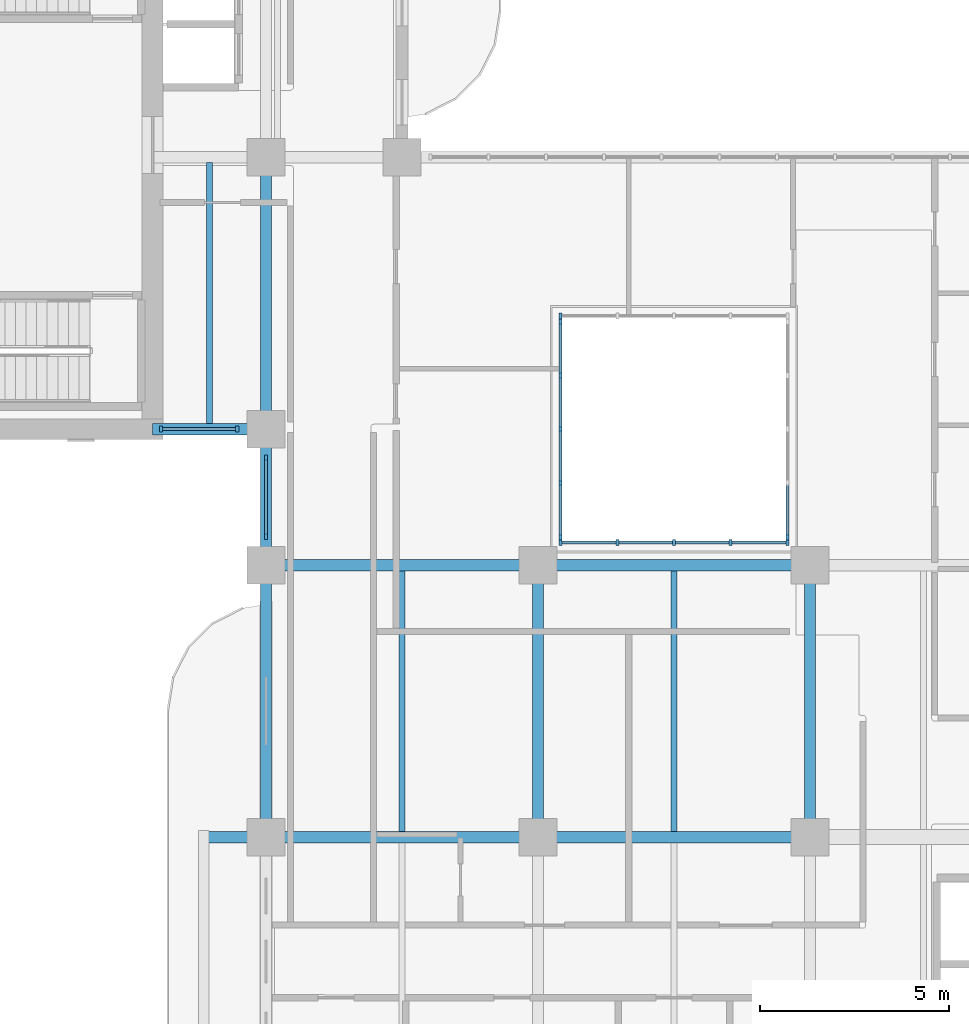
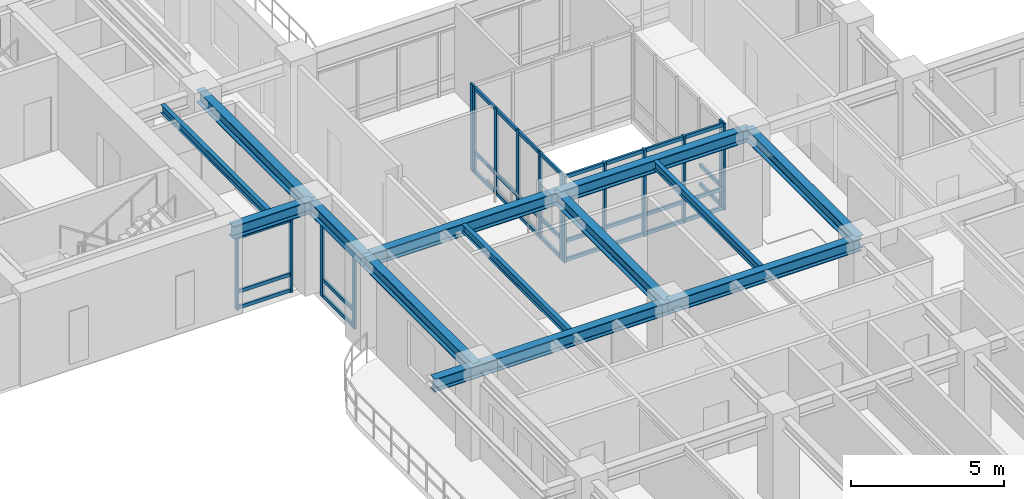
# One storey, part 2 of 20: 48 members, 13 beams, 6 elements without a shape of their own.
"""IFC4 building model written with IfcOpenShell, lengths in metres."""

from ifc_helpers import new_model, si_unit, derived_unit, direction, frame, origin, origin_2d, place, context, subcontext, project, spatial, rectangle, i_section, extrude, source, transform, mapped, material, layer, layer_set, material_profile, profile_set, type_object, type_shapes, element, aggregate, save


model = new_model("IFC4")

# Units and contexts
model_context = context("Model", 3, precision=1e-05, world=origin(), true_north=direction((0.0, 1.0)))
body_context = subcontext(model_context, "Body", "Model", "MODEL_VIEW")
ifc_project = project(units=[si_unit("LENGTHUNIT", "METRE"), si_unit("AREAUNIT", "SQUARE_METRE"), si_unit("VOLUMEUNIT", "CUBIC_METRE"), si_unit("PLANEANGLEUNIT", "RADIAN"), si_unit("MASSUNIT", "GRAM", prefix="KILO"), si_unit("THERMODYNAMICTEMPERATUREUNIT", "KELVIN"), si_unit("POWERUNIT", "WATT"), derived_unit("THERMALTRANSMITTANCEUNIT", [(si_unit("POWERUNIT", "WATT"), 1), (si_unit("AREAUNIT", "SQUARE_METRE"), -1), (si_unit("THERMODYNAMICTEMPERATUREUNIT", "KELVIN"), -1)])], contexts=[model_context])

# Site, building, storey
site_placement = place(None, origin())
site = spatial("IfcSite", under=ifc_project, at=site_placement, CompositionType="ELEMENT")
building_placement = place(site_placement, origin())
building = spatial("IfcBuilding", under=site, at=building_placement, Name="Zahravan Archway Hotel and Residences", CompositionType="ELEMENT")
storey_placement = place(building_placement, frame((0.0, 0.0, 137.699951171875)))
storey = spatial("IfcBuildingStorey", under=building, at=storey_placement, Name="L34", CompositionType="ELEMENT", Elevation=137.699951171875)

# Beams
ifc_material_1 = material(Name="Structural Steel S355JR", Category="steel")
ifc_material_profile_1 = material_profile(ifc_material_1, i_section(OverallWidth=0.300048828125, OverallDepth=0.5, WebThickness=0.014404296875, FlangeThickness=0.028076171875, FilletRadius=0.027099609375, at=origin_2d()), Name="HEB 500", Category="steel")
ifc_profile_set_1 = profile_set([ifc_material_profile_1], Name="Structural Steel S355JR")
beam_type_1 = type_object("IfcBeamType", Name="BM-PRI-HEB500", PredefinedType="BEAM", material=ifc_profile_set_1)
shared_shape_1 = source(origin(), body_context, "Body", "SweptSolid", [
    extrude(i_section(OverallWidth=0.300048828125, OverallDepth=0.5, WebThickness=0.014404296875, FlangeThickness=0.028076171875, FilletRadius=0.027099609375, at=origin_2d()), origin(), (0.0, 0.0, 1.0), 7.2001953125),
])
type_shapes(beam_type_1, [shared_shape_1])
for number, where, z_axis, x_axis, name in (
    (1, (14.39990234375, 21.60009765625, 3.199951171875), (1.0, 0.0, 0.0), (0.0, 1.0, 0.0), "L34 Primary Girder EW-11"),
    (2, (14.39990234375, 14.39990234375, 3.199951171875), (0.0, 1.0, 0.0), (-1.0, 0.0, 0.0), "L34 Primary Girder NS-30"),
    (3, (21.60009765625, 14.39990234375, 3.199951171875), (0.0, 1.0, 0.0), (-1.0, 0.0, 0.0), "L34 Primary Girder NS-37"),
    (4, (28.800048828125, 14.39990234375, 3.199951171875), (0.0, 1.0, 0.0), (-1.0, 0.0, 0.0), "L34 Primary Girder NS-40"),
):
    element("IfcBeam", number, at=place(storey_placement, frame(where, z_axis=z_axis, x_axis=x_axis)), inside=storey, type_object=beam_type_1, Name=name, PredefinedType="BEAM", context=body_context, shape_type="MappedRepresentation", body=[
        mapped(shared_shape_1, transform((0.0, 0.0, 0.0), scale=1.0)),
    ])
shared_shape_2 = source(origin(), body_context, "Body", "SweptSolid", [
    extrude(i_section(OverallWidth=0.300048828125, OverallDepth=0.5, WebThickness=0.014404296875, FlangeThickness=0.028076171875, FilletRadius=0.027099609375, at=origin_2d()), origin(), (0.0, 0.0, 1.0), 7.199951171875),
])
for number, where, z_axis, x_axis, name in (
    (5, (21.60009765625, 14.39990234375, 3.199951171875), (1.0, 0.0, 0.0), (0.0, 1.0, 0.0), "L34 Primary Girder EW-10"),
    (6, (21.60009765625, 21.60009765625, 3.199951171875), (1.0, 0.0, 0.0), (0.0, 1.0, 0.0), "L34 Primary Girder EW-12"),
    (7, (14.39990234375, 25.199951171875, 3.199951171875), (0.0, 1.0, 0.0), (-1.0, 0.0, 0.0), "L34 Primary Girder NS-32"),
):
    element("IfcBeam", number, at=place(storey_placement, frame(where, z_axis=z_axis, x_axis=x_axis)), inside=storey, type_object=beam_type_1, Name=name, PredefinedType="BEAM", context=body_context, shape_type="MappedRepresentation", body=[
        mapped(shared_shape_2, transform((0.0, 0.0, 0.0), scale=1.0)),
    ])
shared_shape_3 = source(origin(), body_context, "Body", "SweptSolid", [
    extrude(i_section(OverallWidth=0.300048828125, OverallDepth=0.5, WebThickness=0.014404296875, FlangeThickness=0.028076171875, FilletRadius=0.027099609375, at=origin_2d()), origin(), (0.0, 0.0, 1.0), 3.0),
])
beam_1_placement = place(storey_placement, frame((11.39990234375, 25.199951171875, 3.199951171875), z_axis=(1.0, 0.0, 0.0), x_axis=(0.0, 1.0, 0.0)))
element("IfcBeam", 8, at=beam_1_placement, inside=storey, type_object=beam_type_1, Name="L34 Primary Girder EW-16", PredefinedType="BEAM", context=body_context, shape_type="MappedRepresentation", body=[
    mapped(shared_shape_3, transform((0.0, 0.0, 0.0), scale=1.0)),
])
shared_shape_4 = source(origin(), body_context, "Body", "SweptSolid", [
    extrude(i_section(OverallWidth=0.300048828125, OverallDepth=0.5, WebThickness=0.014404296875, FlangeThickness=0.028076171875, FilletRadius=0.027099609375, at=origin_2d()), origin(), (0.0, 0.0, 1.0), 3.599853515625),
])
beam_2_placement = place(storey_placement, frame((14.39990234375, 21.60009765625, 3.199951171875), z_axis=(0.0, 1.0, 0.0), x_axis=(-1.0, 0.0, 0.0)))
element("IfcBeam", 9, at=beam_2_placement, inside=storey, type_object=beam_type_1, Name="L34 Primary Girder NS-31", PredefinedType="BEAM", context=body_context, shape_type="MappedRepresentation", body=[
    mapped(shared_shape_4, transform((0.0, 0.0, 0.0), scale=1.0)),
])
ifc_material_profile_2 = material_profile(ifc_material_1, i_section(OverallWidth=0.159912109375, OverallDepth=0.330078125, WebThickness=0.007568359375, FlangeThickness=0.011474609375, FilletRadius=0.01806640625, at=origin_2d()), Name="IPE 330", Category="steel")
ifc_profile_set_2 = profile_set([ifc_material_profile_2], Name="Structural Steel S355JR")
beam_type_2 = type_object("IfcBeamType", Name="BM-JST-IPE330", PredefinedType="JOIST", material=ifc_profile_set_2)
shared_shape_5 = source(origin(), body_context, "Body", "SweptSolid", [
    extrude(i_section(OverallWidth=0.159912109375, OverallDepth=0.330078125, WebThickness=0.007568359375, FlangeThickness=0.011474609375, FilletRadius=0.01806640625, at=origin_2d()), origin(), (0.0, 0.0, 1.0), 6.904052734375),
])
type_shapes(beam_type_2, [shared_shape_5])
beam_3_placement = place(storey_placement, frame((12.89990234375, 25.347900390625, 3.28515625), z_axis=(0.0, 1.0, 0.0), x_axis=(-1.0, 0.0, 0.0)))
element("IfcBeam", 10, at=beam_3_placement, inside=storey, type_object=beam_type_2, Name="L34 Composite Floor Joist 10", PredefinedType="JOIST", context=body_context, shape_type="MappedRepresentation", body=[
    mapped(shared_shape_5, transform((0.0, 0.0, 0.0), scale=1.0)),
])
shared_shape_6 = source(origin(), body_context, "Body", "SweptSolid", [
    extrude(i_section(OverallWidth=0.159912109375, OverallDepth=0.330078125, WebThickness=0.007568359375, FlangeThickness=0.011474609375, FilletRadius=0.01806640625, at=origin_2d()), origin(), (0.0, 0.0, 1.0), 6.90380859375),
])
for number, where, z_axis, x_axis, name in (
    (11, (18.0, 14.548095703125, 3.28515625), (0.0, 1.0, 0.0), (-1.0, 0.0, 0.0), "L34 Composite Floor Joist 08"),
    (12, (25.199951171875, 14.548095703125, 3.28515625), (0.0, 1.0, 0.0), (-1.0, 0.0, 0.0), "L34 Composite Floor Joist 09"),
):
    element("IfcBeam", number, at=place(storey_placement, frame(where, z_axis=z_axis, x_axis=x_axis)), inside=storey, type_object=beam_type_2, Name=name, PredefinedType="JOIST", context=body_context, shape_type="MappedRepresentation", body=[
        mapped(shared_shape_6, transform((0.0, 0.0, 0.0), scale=1.0)),
    ])
shared_shape_7 = source(origin(), body_context, "Body", "SweptSolid", [
    extrude(i_section(OverallWidth=0.300048828125, OverallDepth=0.5, WebThickness=0.014404296875, FlangeThickness=0.028076171875, FilletRadius=0.027099609375, at=origin_2d()), origin(), (0.0, 0.0, 1.0), 8.85009765625),
])
beam_4_placement = place(storey_placement, frame((12.75, 14.39990234375, 3.199951171875), z_axis=(1.0, 0.0, 0.0), x_axis=(0.0, 1.0, 0.0)))
element("IfcBeam", 13, at=beam_4_placement, inside=storey, type_object=beam_type_1, Name="L34 Primary Girder EW-09", PredefinedType="BEAM", context=body_context, shape_type="MappedRepresentation", body=[
    mapped(shared_shape_7, transform((0.0, 0.0, 0.0), scale=1.0)),
])

# Curtain wall, members
ifc_material_2 = material(Name="Bronze-Anodized Unitised Aluminium & Low-E Glass", Category="aluminium")
ifc_layer = layer(ifc_material_2, 0.179931640625, Name="Bronze-Anodized Unitised Aluminium & Low-E Glass", Category="aluminium")
ifc_layer_set = layer_set([ifc_layer], Name="Bronze-Anodized Unitised Aluminium & Low-E Glass")
curtain_wall_type = type_object("IfcCurtainWallType", Name="CW-ATR-GLAZ", PredefinedType="NOTDEFINED", material=ifc_layer_set)
curtain_wall_1_placement = place(storey_placement, origin())
curtain_wall_1 = element("IfcCurtainWall", 14, at=curtain_wall_1_placement, inside=storey, type_object=curtain_wall_type, Name="L34 Curtain Wall CW-L34-WB-SE-1", PredefinedType="NOTDEFINED")
ifc_material_3 = material(Name="Bronze-Anodized Extruded Aluminium", Category="aluminium")
ifc_material_profile_3 = material_profile(ifc_material_3, rectangle(XDim=0.080078125, YDim=0.139892578125, at=origin_2d()), Name="TRN 80x140", Category="aluminium")
ifc_profile_set_3 = profile_set([ifc_material_profile_3], Name="Bronze-Anodized Extruded Aluminium")
member_type_1 = type_object("IfcMemberType", Name="CWM-TRN-140", PredefinedType="USERDEFINED", material=ifc_profile_set_3)
shared_shape_8 = source(origin(), body_context, "Body", "SweptSolid", [
    extrude(rectangle(XDim=0.080078125, YDim=0.139892578125, at=origin_2d()), origin(), (0.0, 0.0, 1.0), 1.940185546875),
])
member_1_placement = place(storey_placement, frame((11.659912109375, 25.199951171875, 0.070068359375), z_axis=(1.0, 0.0, 0.0), x_axis=(0.0, 1.0, 0.0)))
member_1 = element("IfcMember", 15, at=member_1_placement, type_object=member_type_1, Name="CW-L34-WB-SE-1 Transom 0-1", ObjectType="TRANSOM", PredefinedType="USERDEFINED", context=body_context, shape_type="MappedRepresentation", body=[
    mapped(shared_shape_8, transform((0.0, 0.0, 0.0), scale=1.0)),
])
member_2_placement = place(storey_placement, frame((11.659912109375, 25.199951171875, 0.704345703125), z_axis=(1.0, 0.0, 0.0), x_axis=(0.0, 1.0, 0.0)))
member_2 = element("IfcMember", 16, at=member_2_placement, type_object=member_type_1, Name="CW-L34-WB-SE-1 Transom 0-2", ObjectType="TRANSOM", PredefinedType="USERDEFINED", context=body_context, shape_type="MappedRepresentation", body=[
    mapped(shared_shape_8, transform((0.0, 0.0, 0.0), scale=1.0)),
])
member_3_placement = place(storey_placement, frame((11.659912109375, 25.199951171875, 2.864990234375), z_axis=(1.0, 0.0, 0.0), x_axis=(0.0, 1.0, 0.0)))
member_3 = element("IfcMember", 17, at=member_3_placement, type_object=member_type_1, Name="CW-L34-WB-SE-1 Transom 0-3", ObjectType="TRANSOM", PredefinedType="USERDEFINED", context=body_context, shape_type="MappedRepresentation", body=[
    mapped(shared_shape_8, transform((0.0, 0.0, 0.0), scale=1.0)),
])

curtain_wall_2_placement = place(storey_placement, origin())
curtain_wall_2 = element("IfcCurtainWall", 18, at=curtain_wall_2_placement, inside=storey, type_object=curtain_wall_type, Name="L34 Curtain Wall CW-L34-WA-WLU-1", PredefinedType="NOTDEFINED")
shared_shape_9 = source(origin(), body_context, "Body", "SweptSolid", [
    extrude(rectangle(XDim=0.080078125, YDim=0.139892578125, at=origin_2d()), origin(), (0.0, 0.0, 1.0), 2.0),
])
member_4_placement = place(storey_placement, frame((14.39990234375, 22.39990234375, 0.070068359375), z_axis=(0.0, 1.0, 0.0), x_axis=(-1.0, 0.0, 0.0)))
member_4 = element("IfcMember", 19, at=member_4_placement, type_object=member_type_1, Name="CW-L34-WA-WLU-1 Transom 0-1", ObjectType="TRANSOM", PredefinedType="USERDEFINED", context=body_context, shape_type="MappedRepresentation", body=[
    mapped(shared_shape_9, transform((0.0, 0.0, 0.0), scale=1.0)),
])
member_5_placement = place(storey_placement, frame((14.39990234375, 22.39990234375, 0.704345703125), z_axis=(0.0, 1.0, 0.0), x_axis=(-1.0, 0.0, 0.0)))
member_5 = element("IfcMember", 20, at=member_5_placement, type_object=member_type_1, Name="CW-L34-WA-WLU-1 Transom 0-2", ObjectType="TRANSOM", PredefinedType="USERDEFINED", context=body_context, shape_type="MappedRepresentation", body=[
    mapped(shared_shape_9, transform((0.0, 0.0, 0.0), scale=1.0)),
])
member_6_placement = place(storey_placement, frame((14.39990234375, 22.39990234375, 2.864990234375), z_axis=(0.0, 1.0, 0.0), x_axis=(-1.0, 0.0, 0.0)))
member_6 = element("IfcMember", 21, at=member_6_placement, type_object=member_type_1, Name="CW-L34-WA-WLU-1 Transom 0-3", ObjectType="TRANSOM", PredefinedType="USERDEFINED", context=body_context, shape_type="MappedRepresentation", body=[
    mapped(shared_shape_9, transform((0.0, 0.0, 0.0), scale=1.0)),
])

curtain_wall_3_placement = place(storey_placement, origin())
curtain_wall_3 = element("IfcCurtainWall", 22, at=curtain_wall_3_placement, inside=storey, type_object=curtain_wall_type, Name="L34 Curtain Wall CW-ATR-L34-S-1", PredefinedType="NOTDEFINED")
ifc_material_profile_4 = material_profile(ifc_material_3, rectangle(XDim=0.080078125, YDim=0.159912109375, at=origin_2d()), Name="MUL 80x160", Category="aluminium")
ifc_profile_set_4 = profile_set([ifc_material_profile_4], Name="Bronze-Anodized Extruded Aluminium")
member_type_2 = type_object("IfcMemberType", Name="CWM-MUL-160", PredefinedType="MULLION", material=ifc_profile_set_4)
shared_shape_10 = source(origin(), body_context, "Body", "SweptSolid", [
    extrude(rectangle(XDim=0.080078125, YDim=0.159912109375, at=origin_2d()), origin(), (0.0, 0.0, 1.0), 3.449951171875),
])
member_7_placement = place(storey_placement, frame((22.199951171875, 22.199951171875, 0.0), z_axis=(0.0, 0.0, 1.0), x_axis=(1.0, 0.0, 0.0)))
member_7 = element("IfcMember", 23, at=member_7_placement, type_object=member_type_2, Name="CW-ATR-L34-S-1 Mullion 0", PredefinedType="MULLION", context=body_context, shape_type="MappedRepresentation", body=[
    mapped(shared_shape_10, transform((0.0, 0.0, 0.0), scale=1.0)),
])
member_8_placement = place(storey_placement, frame((23.699951171875, 22.199951171875, 0.0), z_axis=(0.0, 0.0, 1.0), x_axis=(1.0, 0.0, 0.0)))
member_8 = element("IfcMember", 24, at=member_8_placement, type_object=member_type_2, Name="CW-ATR-L34-S-1 Mullion 1", PredefinedType="MULLION", context=body_context, shape_type="MappedRepresentation", body=[
    mapped(shared_shape_10, transform((0.0, 0.0, 0.0), scale=1.0)),
])
member_9_placement = place(storey_placement, frame((25.199951171875, 22.199951171875, 0.0), z_axis=(0.0, 0.0, 1.0), x_axis=(1.0, 0.0, 0.0)))
member_9 = element("IfcMember", 25, at=member_9_placement, type_object=member_type_2, Name="CW-ATR-L34-S-1 Mullion 2", PredefinedType="MULLION", context=body_context, shape_type="MappedRepresentation", body=[
    mapped(shared_shape_10, transform((0.0, 0.0, 0.0), scale=1.0)),
])
member_10_placement = place(storey_placement, frame((26.699951171875, 22.199951171875, 0.0), z_axis=(0.0, 0.0, 1.0), x_axis=(1.0, 0.0, 0.0)))
member_10 = element("IfcMember", 26, at=member_10_placement, type_object=member_type_2, Name="CW-ATR-L34-S-1 Mullion 3", PredefinedType="MULLION", context=body_context, shape_type="MappedRepresentation", body=[
    mapped(shared_shape_10, transform((0.0, 0.0, 0.0), scale=1.0)),
])
member_11_placement = place(storey_placement, frame((28.199951171875, 22.199951171875, 0.0), z_axis=(0.0, 0.0, 1.0), x_axis=(1.0, 0.0, 0.0)))
member_11 = element("IfcMember", 27, at=member_11_placement, type_object=member_type_2, Name="CW-ATR-L34-S-1 Mullion 4", PredefinedType="MULLION", context=body_context, shape_type="MappedRepresentation", body=[
    mapped(shared_shape_10, transform((0.0, 0.0, 0.0), scale=1.0)),
])

# Curtain wall, member
curtain_wall_4_placement = place(storey_placement, origin())
curtain_wall_4 = element("IfcCurtainWall", 28, at=curtain_wall_4_placement, inside=storey, type_object=curtain_wall_type, Name="L34 Curtain Wall CW-ATR-L34-N-1", PredefinedType="NOTDEFINED")
member_12_placement = place(storey_placement, frame((22.199951171875, 28.199951171875, 0.0), z_axis=(0.0, 0.0, 1.0), x_axis=(1.0, 0.0, 0.0)))
member_12 = element("IfcMember", 29, at=member_12_placement, type_object=member_type_2, Name="CW-ATR-L34-N-1 Mullion 0", PredefinedType="MULLION", context=body_context, shape_type="MappedRepresentation", body=[
    mapped(shared_shape_10, transform((0.0, 0.0, 0.0), scale=1.0)),
])
aggregate(curtain_wall_4, [member_12])

# Curtain wall, members
curtain_wall_5_placement = place(storey_placement, origin())
curtain_wall_5 = element("IfcCurtainWall", 30, at=curtain_wall_5_placement, inside=storey, type_object=curtain_wall_type, Name="L34 Curtain Wall CW-ATR-L34-W-1", PredefinedType="NOTDEFINED")
member_13_placement = place(storey_placement, frame((22.199951171875, 22.35009765625, 0.0), z_axis=(0.0, 0.0, 1.0), x_axis=(1.0, 0.0, 0.0)))
member_13 = element("IfcMember", 31, at=member_13_placement, type_object=member_type_2, Name="CW-ATR-L34-W-1 Mullion 0", PredefinedType="MULLION", context=body_context, shape_type="MappedRepresentation", body=[
    mapped(shared_shape_10, transform((0.0, 0.0, 0.0), scale=1.0)),
])
member_14_placement = place(storey_placement, frame((22.199951171875, 23.77490234375, 0.0), z_axis=(0.0, 0.0, 1.0), x_axis=(1.0, 0.0, 0.0)))
member_14 = element("IfcMember", 32, at=member_14_placement, type_object=member_type_2, Name="CW-ATR-L34-W-1 Mullion 1", PredefinedType="MULLION", context=body_context, shape_type="MappedRepresentation", body=[
    mapped(shared_shape_10, transform((0.0, 0.0, 0.0), scale=1.0)),
])
member_15_placement = place(storey_placement, frame((22.199951171875, 25.199951171875, 0.0), z_axis=(0.0, 0.0, 1.0), x_axis=(1.0, 0.0, 0.0)))
member_15 = element("IfcMember", 33, at=member_15_placement, type_object=member_type_2, Name="CW-ATR-L34-W-1 Mullion 2", PredefinedType="MULLION", context=body_context, shape_type="MappedRepresentation", body=[
    mapped(shared_shape_10, transform((0.0, 0.0, 0.0), scale=1.0)),
])
member_16_placement = place(storey_placement, frame((22.199951171875, 26.625, 0.0), z_axis=(0.0, 0.0, 1.0), x_axis=(1.0, 0.0, 0.0)))
member_16 = element("IfcMember", 34, at=member_16_placement, type_object=member_type_2, Name="CW-ATR-L34-W-1 Mullion 3", PredefinedType="MULLION", context=body_context, shape_type="MappedRepresentation", body=[
    mapped(shared_shape_10, transform((0.0, 0.0, 0.0), scale=1.0)),
])
member_17_placement = place(storey_placement, frame((22.199951171875, 28.050048828125, 0.0), z_axis=(0.0, 0.0, 1.0), x_axis=(1.0, 0.0, 0.0)))
member_17 = element("IfcMember", 35, at=member_17_placement, type_object=member_type_2, Name="CW-ATR-L34-W-1 Mullion 4", PredefinedType="MULLION", context=body_context, shape_type="MappedRepresentation", body=[
    mapped(shared_shape_10, transform((0.0, 0.0, 0.0), scale=1.0)),
])

# Curtain wall, member
curtain_wall_6_placement = place(storey_placement, origin())
curtain_wall_6 = element("IfcCurtainWall", 36, at=curtain_wall_6_placement, inside=storey, type_object=curtain_wall_type, Name="L34 Curtain Wall CW-ATR-L34-E-1", PredefinedType="NOTDEFINED")
member_18_placement = place(storey_placement, frame((28.199951171875, 22.35009765625, 0.0), z_axis=(0.0, 0.0, 1.0), x_axis=(1.0, 0.0, 0.0)))
member_18 = element("IfcMember", 37, at=member_18_placement, type_object=member_type_2, Name="CW-ATR-L34-E-1 Mullion 0", PredefinedType="MULLION", context=body_context, shape_type="MappedRepresentation", body=[
    mapped(shared_shape_10, transform((0.0, 0.0, 0.0), scale=1.0)),
])

# Member
shared_shape_11 = source(origin(), body_context, "Body", "SweptSolid", [
    extrude(rectangle(XDim=0.080078125, YDim=0.139892578125, at=origin_2d()), origin(), (0.0, 0.0, 1.0), 1.419921875),
])
member_19_placement = place(storey_placement, frame((22.239990234375, 22.199951171875, 0.070068359375), z_axis=(1.0, 0.0, 0.0), x_axis=(0.0, 1.0, 0.0)))
member_19 = element("IfcMember", 38, at=member_19_placement, type_object=member_type_1, Name="CW-ATR-L34-S-1 Transom 0-1", ObjectType="TRANSOM", PredefinedType="USERDEFINED", context=body_context, shape_type="MappedRepresentation", body=[
    mapped(shared_shape_11, transform((0.0, 0.0, 0.0), scale=1.0)),
])

member_20_placement = place(storey_placement, frame((22.239990234375, 22.199951171875, 0.828125), z_axis=(1.0, 0.0, 0.0), x_axis=(0.0, 1.0, 0.0)))
member_20 = element("IfcMember", 39, at=member_20_placement, type_object=member_type_1, Name="CW-ATR-L34-S-1 Transom 0-2", ObjectType="TRANSOM", PredefinedType="USERDEFINED", context=body_context, shape_type="MappedRepresentation", body=[
    mapped(shared_shape_11, transform((0.0, 0.0, 0.0), scale=1.0)),
])

member_21_placement = place(storey_placement, frame((22.239990234375, 22.199951171875, 3.380126953125), z_axis=(1.0, 0.0, 0.0), x_axis=(0.0, 1.0, 0.0)))
member_21 = element("IfcMember", 40, at=member_21_placement, type_object=member_type_1, Name="CW-ATR-L34-S-1 Transom 0-3", ObjectType="TRANSOM", PredefinedType="USERDEFINED", context=body_context, shape_type="MappedRepresentation", body=[
    mapped(shared_shape_11, transform((0.0, 0.0, 0.0), scale=1.0)),
])

member_22_placement = place(storey_placement, frame((23.739990234375, 22.199951171875, 0.070068359375), z_axis=(1.0, 0.0, 0.0), x_axis=(0.0, 1.0, 0.0)))
member_22 = element("IfcMember", 41, at=member_22_placement, type_object=member_type_1, Name="CW-ATR-L34-S-1 Transom 1-1", ObjectType="TRANSOM", PredefinedType="USERDEFINED", context=body_context, shape_type="MappedRepresentation", body=[
    mapped(shared_shape_11, transform((0.0, 0.0, 0.0), scale=1.0)),
])

member_23_placement = place(storey_placement, frame((23.739990234375, 22.199951171875, 0.828125), z_axis=(1.0, 0.0, 0.0), x_axis=(0.0, 1.0, 0.0)))
member_23 = element("IfcMember", 42, at=member_23_placement, type_object=member_type_1, Name="CW-ATR-L34-S-1 Transom 1-2", ObjectType="TRANSOM", PredefinedType="USERDEFINED", context=body_context, shape_type="MappedRepresentation", body=[
    mapped(shared_shape_11, transform((0.0, 0.0, 0.0), scale=1.0)),
])

member_24_placement = place(storey_placement, frame((23.739990234375, 22.199951171875, 3.380126953125), z_axis=(1.0, 0.0, 0.0), x_axis=(0.0, 1.0, 0.0)))
member_24 = element("IfcMember", 43, at=member_24_placement, type_object=member_type_1, Name="CW-ATR-L34-S-1 Transom 1-3", ObjectType="TRANSOM", PredefinedType="USERDEFINED", context=body_context, shape_type="MappedRepresentation", body=[
    mapped(shared_shape_11, transform((0.0, 0.0, 0.0), scale=1.0)),
])

member_25_placement = place(storey_placement, frame((25.239990234375, 22.199951171875, 0.070068359375), z_axis=(1.0, 0.0, 0.0), x_axis=(0.0, 1.0, 0.0)))
member_25 = element("IfcMember", 44, at=member_25_placement, type_object=member_type_1, Name="CW-ATR-L34-S-1 Transom 2-1", ObjectType="TRANSOM", PredefinedType="USERDEFINED", context=body_context, shape_type="MappedRepresentation", body=[
    mapped(shared_shape_11, transform((0.0, 0.0, 0.0), scale=1.0)),
])

member_26_placement = place(storey_placement, frame((25.239990234375, 22.199951171875, 0.828125), z_axis=(1.0, 0.0, 0.0), x_axis=(0.0, 1.0, 0.0)))
member_26 = element("IfcMember", 45, at=member_26_placement, type_object=member_type_1, Name="CW-ATR-L34-S-1 Transom 2-2", ObjectType="TRANSOM", PredefinedType="USERDEFINED", context=body_context, shape_type="MappedRepresentation", body=[
    mapped(shared_shape_11, transform((0.0, 0.0, 0.0), scale=1.0)),
])

member_27_placement = place(storey_placement, frame((25.239990234375, 22.199951171875, 3.380126953125), z_axis=(1.0, 0.0, 0.0), x_axis=(0.0, 1.0, 0.0)))
member_27 = element("IfcMember", 46, at=member_27_placement, type_object=member_type_1, Name="CW-ATR-L34-S-1 Transom 2-3", ObjectType="TRANSOM", PredefinedType="USERDEFINED", context=body_context, shape_type="MappedRepresentation", body=[
    mapped(shared_shape_11, transform((0.0, 0.0, 0.0), scale=1.0)),
])

member_28_placement = place(storey_placement, frame((26.739990234375, 22.199951171875, 0.070068359375), z_axis=(1.0, 0.0, 0.0), x_axis=(0.0, 1.0, 0.0)))
member_28 = element("IfcMember", 47, at=member_28_placement, type_object=member_type_1, Name="CW-ATR-L34-S-1 Transom 3-1", ObjectType="TRANSOM", PredefinedType="USERDEFINED", context=body_context, shape_type="MappedRepresentation", body=[
    mapped(shared_shape_11, transform((0.0, 0.0, 0.0), scale=1.0)),
])

member_29_placement = place(storey_placement, frame((26.739990234375, 22.199951171875, 0.828125), z_axis=(1.0, 0.0, 0.0), x_axis=(0.0, 1.0, 0.0)))
member_29 = element("IfcMember", 48, at=member_29_placement, type_object=member_type_1, Name="CW-ATR-L34-S-1 Transom 3-2", ObjectType="TRANSOM", PredefinedType="USERDEFINED", context=body_context, shape_type="MappedRepresentation", body=[
    mapped(shared_shape_11, transform((0.0, 0.0, 0.0), scale=1.0)),
])

member_30_placement = place(storey_placement, frame((26.739990234375, 22.199951171875, 3.380126953125), z_axis=(1.0, 0.0, 0.0), x_axis=(0.0, 1.0, 0.0)))
member_30 = element("IfcMember", 49, at=member_30_placement, type_object=member_type_1, Name="CW-ATR-L34-S-1 Transom 3-3", ObjectType="TRANSOM", PredefinedType="USERDEFINED", context=body_context, shape_type="MappedRepresentation", body=[
    mapped(shared_shape_11, transform((0.0, 0.0, 0.0), scale=1.0)),
])

aggregate(curtain_wall_3, [member_7, member_8, member_9, member_10, member_11, member_19, member_20, member_21, member_22, member_23, member_24, member_25, member_26, member_27, member_28, member_29, member_30])

shared_shape_12 = source(origin(), body_context, "Body", "SweptSolid", [
    extrude(rectangle(XDim=0.080078125, YDim=0.139892578125, at=origin_2d()), origin(), (0.0, 0.0, 1.0), 1.34521484375),
])
member_31_placement = place(storey_placement, frame((22.199951171875, 22.389892578125, 0.070068359375), z_axis=(0.0, 1.0, 0.0), x_axis=(-1.0, 0.0, 0.0)))
member_31 = element("IfcMember", 50, at=member_31_placement, type_object=member_type_1, Name="CW-ATR-L34-W-1 Transom 0-1", ObjectType="TRANSOM", PredefinedType="USERDEFINED", context=body_context, shape_type="MappedRepresentation", body=[
    mapped(shared_shape_12, transform((0.0, 0.0, 0.0), scale=1.0)),
])

member_32_placement = place(storey_placement, frame((22.199951171875, 22.389892578125, 0.828125), z_axis=(0.0, 1.0, 0.0), x_axis=(-1.0, 0.0, 0.0)))
member_32 = element("IfcMember", 51, at=member_32_placement, type_object=member_type_1, Name="CW-ATR-L34-W-1 Transom 0-2", ObjectType="TRANSOM", PredefinedType="USERDEFINED", context=body_context, shape_type="MappedRepresentation", body=[
    mapped(shared_shape_12, transform((0.0, 0.0, 0.0), scale=1.0)),
])

member_33_placement = place(storey_placement, frame((22.199951171875, 22.389892578125, 3.380126953125), z_axis=(0.0, 1.0, 0.0), x_axis=(-1.0, 0.0, 0.0)))
member_33 = element("IfcMember", 52, at=member_33_placement, type_object=member_type_1, Name="CW-ATR-L34-W-1 Transom 0-3", ObjectType="TRANSOM", PredefinedType="USERDEFINED", context=body_context, shape_type="MappedRepresentation", body=[
    mapped(shared_shape_12, transform((0.0, 0.0, 0.0), scale=1.0)),
])

member_34_placement = place(storey_placement, frame((28.199951171875, 22.389892578125, 0.070068359375), z_axis=(0.0, 1.0, 0.0), x_axis=(-1.0, 0.0, 0.0)))
member_34 = element("IfcMember", 53, at=member_34_placement, type_object=member_type_1, Name="CW-ATR-L34-E-1 Transom 0-1", ObjectType="TRANSOM", PredefinedType="USERDEFINED", context=body_context, shape_type="MappedRepresentation", body=[
    mapped(shared_shape_12, transform((0.0, 0.0, 0.0), scale=1.0)),
])

member_35_placement = place(storey_placement, frame((28.199951171875, 22.389892578125, 0.828125), z_axis=(0.0, 1.0, 0.0), x_axis=(-1.0, 0.0, 0.0)))
member_35 = element("IfcMember", 54, at=member_35_placement, type_object=member_type_1, Name="CW-ATR-L34-E-1 Transom 0-2", ObjectType="TRANSOM", PredefinedType="USERDEFINED", context=body_context, shape_type="MappedRepresentation", body=[
    mapped(shared_shape_12, transform((0.0, 0.0, 0.0), scale=1.0)),
])

aggregate(curtain_wall_6, [member_18, member_34, member_35])

shared_shape_13 = source(origin(), body_context, "Body", "SweptSolid", [
    extrude(rectangle(XDim=0.080078125, YDim=0.139892578125, at=origin_2d()), origin(), (0.0, 0.0, 1.0), 1.344970703125),
])
member_36_placement = place(storey_placement, frame((22.199951171875, 23.81494140625, 0.070068359375), z_axis=(0.0, 1.0, 0.0), x_axis=(-1.0, 0.0, 0.0)))
member_36 = element("IfcMember", 55, at=member_36_placement, type_object=member_type_1, Name="CW-ATR-L34-W-1 Transom 1-1", ObjectType="TRANSOM", PredefinedType="USERDEFINED", context=body_context, shape_type="MappedRepresentation", body=[
    mapped(shared_shape_13, transform((0.0, 0.0, 0.0), scale=1.0)),
])

member_37_placement = place(storey_placement, frame((22.199951171875, 23.81494140625, 0.828125), z_axis=(0.0, 1.0, 0.0), x_axis=(-1.0, 0.0, 0.0)))
member_37 = element("IfcMember", 56, at=member_37_placement, type_object=member_type_1, Name="CW-ATR-L34-W-1 Transom 1-2", ObjectType="TRANSOM", PredefinedType="USERDEFINED", context=body_context, shape_type="MappedRepresentation", body=[
    mapped(shared_shape_13, transform((0.0, 0.0, 0.0), scale=1.0)),
])

member_38_placement = place(storey_placement, frame((22.199951171875, 23.81494140625, 3.380126953125), z_axis=(0.0, 1.0, 0.0), x_axis=(-1.0, 0.0, 0.0)))
member_38 = element("IfcMember", 57, at=member_38_placement, type_object=member_type_1, Name="CW-ATR-L34-W-1 Transom 1-3", ObjectType="TRANSOM", PredefinedType="USERDEFINED", context=body_context, shape_type="MappedRepresentation", body=[
    mapped(shared_shape_13, transform((0.0, 0.0, 0.0), scale=1.0)),
])

member_39_placement = place(storey_placement, frame((22.199951171875, 25.239990234375, 0.070068359375), z_axis=(0.0, 1.0, 0.0), x_axis=(-1.0, 0.0, 0.0)))
member_39 = element("IfcMember", 58, at=member_39_placement, type_object=member_type_1, Name="CW-ATR-L34-W-1 Transom 2-1", ObjectType="TRANSOM", PredefinedType="USERDEFINED", context=body_context, shape_type="MappedRepresentation", body=[
    mapped(shared_shape_13, transform((0.0, 0.0, 0.0), scale=1.0)),
])

member_40_placement = place(storey_placement, frame((22.199951171875, 25.239990234375, 0.828125), z_axis=(0.0, 1.0, 0.0), x_axis=(-1.0, 0.0, 0.0)))
member_40 = element("IfcMember", 59, at=member_40_placement, type_object=member_type_1, Name="CW-ATR-L34-W-1 Transom 2-2", ObjectType="TRANSOM", PredefinedType="USERDEFINED", context=body_context, shape_type="MappedRepresentation", body=[
    mapped(shared_shape_13, transform((0.0, 0.0, 0.0), scale=1.0)),
])

member_41_placement = place(storey_placement, frame((22.199951171875, 25.239990234375, 3.380126953125), z_axis=(0.0, 1.0, 0.0), x_axis=(-1.0, 0.0, 0.0)))
member_41 = element("IfcMember", 60, at=member_41_placement, type_object=member_type_1, Name="CW-ATR-L34-W-1 Transom 2-3", ObjectType="TRANSOM", PredefinedType="USERDEFINED", context=body_context, shape_type="MappedRepresentation", body=[
    mapped(shared_shape_13, transform((0.0, 0.0, 0.0), scale=1.0)),
])

member_42_placement = place(storey_placement, frame((22.199951171875, 26.6650390625, 0.070068359375), z_axis=(0.0, 1.0, 0.0), x_axis=(-1.0, 0.0, 0.0)))
member_42 = element("IfcMember", 61, at=member_42_placement, type_object=member_type_1, Name="CW-ATR-L34-W-1 Transom 3-1", ObjectType="TRANSOM", PredefinedType="USERDEFINED", context=body_context, shape_type="MappedRepresentation", body=[
    mapped(shared_shape_13, transform((0.0, 0.0, 0.0), scale=1.0)),
])

member_43_placement = place(storey_placement, frame((22.199951171875, 26.6650390625, 0.828125), z_axis=(0.0, 1.0, 0.0), x_axis=(-1.0, 0.0, 0.0)))
member_43 = element("IfcMember", 62, at=member_43_placement, type_object=member_type_1, Name="CW-ATR-L34-W-1 Transom 3-2", ObjectType="TRANSOM", PredefinedType="USERDEFINED", context=body_context, shape_type="MappedRepresentation", body=[
    mapped(shared_shape_13, transform((0.0, 0.0, 0.0), scale=1.0)),
])

member_44_placement = place(storey_placement, frame((22.199951171875, 26.6650390625, 3.380126953125), z_axis=(0.0, 1.0, 0.0), x_axis=(-1.0, 0.0, 0.0)))
member_44 = element("IfcMember", 63, at=member_44_placement, type_object=member_type_1, Name="CW-ATR-L34-W-1 Transom 3-3", ObjectType="TRANSOM", PredefinedType="USERDEFINED", context=body_context, shape_type="MappedRepresentation", body=[
    mapped(shared_shape_13, transform((0.0, 0.0, 0.0), scale=1.0)),
])

aggregate(curtain_wall_5, [member_13, member_14, member_15, member_16, member_17, member_31, member_32, member_33, member_36, member_37, member_38, member_39, member_40, member_41, member_42, member_43, member_44])

shared_shape_14 = source(origin(), body_context, "Body", "SweptSolid", [
    extrude(rectangle(XDim=0.080078125, YDim=0.159912109375, at=origin_2d()), origin(), (0.0, 0.0, 1.0), 2.93505859375),
])
member_45_placement = place(storey_placement, frame((14.39990234375, 22.360107421875, 0.0), z_axis=(0.0, 0.0, 1.0), x_axis=(1.0, 0.0, 0.0)))
member_45 = element("IfcMember", 64, at=member_45_placement, type_object=member_type_2, Name="CW-L34-WA-WLU-1 Mullion 0", PredefinedType="MULLION", context=body_context, shape_type="MappedRepresentation", body=[
    mapped(shared_shape_14, transform((0.0, 0.0, 0.0), scale=1.0)),
])

member_46_placement = place(storey_placement, frame((14.39990234375, 24.43994140625, 0.0), z_axis=(0.0, 0.0, 1.0), x_axis=(1.0, 0.0, 0.0)))
member_46 = element("IfcMember", 65, at=member_46_placement, type_object=member_type_2, Name="CW-L34-WA-WLU-1 Mullion 1", PredefinedType="MULLION", context=body_context, shape_type="MappedRepresentation", body=[
    mapped(shared_shape_14, transform((0.0, 0.0, 0.0), scale=1.0)),
])

aggregate(curtain_wall_2, [member_45, member_46, member_4, member_5, member_6])

member_47_placement = place(storey_placement, frame((11.6201171875, 25.199951171875, 0.0), z_axis=(0.0, 0.0, 1.0), x_axis=(1.0, 0.0, 0.0)))
member_47 = element("IfcMember", 66, at=member_47_placement, type_object=member_type_2, Name="CW-L34-WB-SE-1 Mullion 0", PredefinedType="MULLION", context=body_context, shape_type="MappedRepresentation", body=[
    mapped(shared_shape_14, transform((0.0, 0.0, 0.0), scale=1.0)),
])

member_48_placement = place(storey_placement, frame((13.639892578125, 25.199951171875, 0.0), z_axis=(0.0, 0.0, 1.0), x_axis=(1.0, 0.0, 0.0)))
member_48 = element("IfcMember", 67, at=member_48_placement, type_object=member_type_2, Name="CW-L34-WB-SE-1 Mullion 1", PredefinedType="MULLION", context=body_context, shape_type="MappedRepresentation", body=[
    mapped(shared_shape_14, transform((0.0, 0.0, 0.0), scale=1.0)),
])

aggregate(curtain_wall_1, [member_47, member_48, member_1, member_2, member_3])

save(model, "model.ifc")
